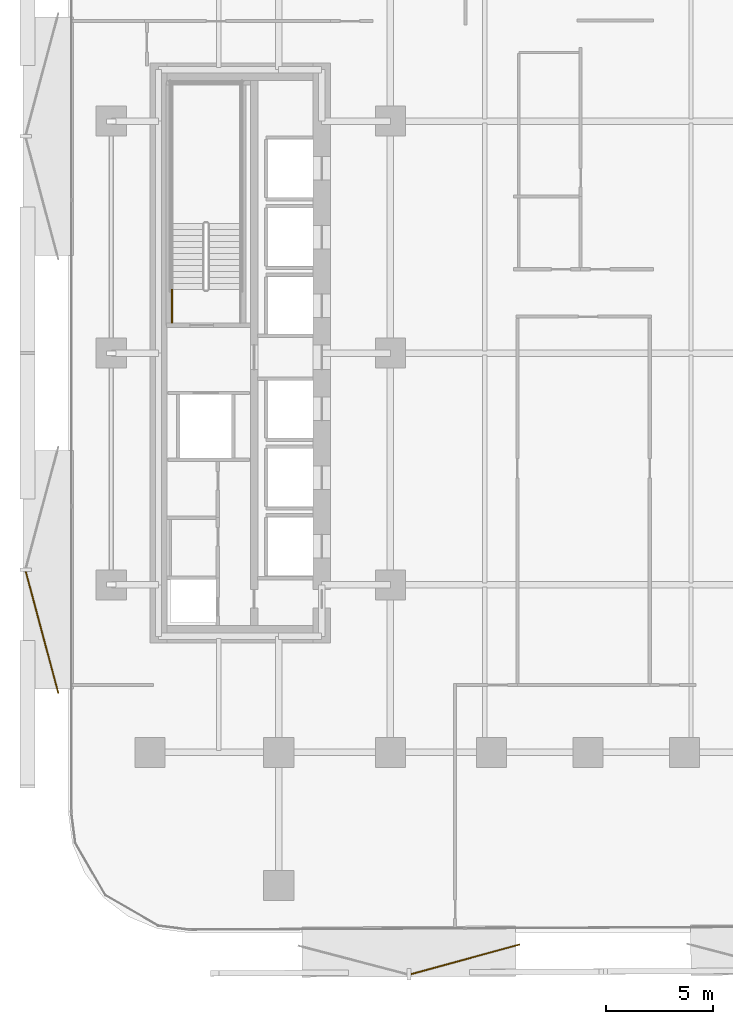
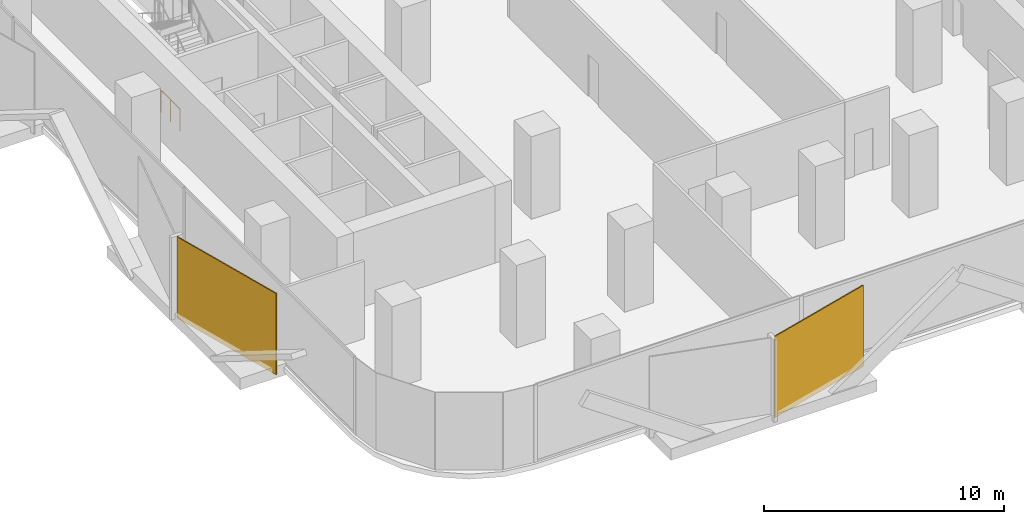
# One storey, part 11 of 15: 2 coverings, 1 railing.
"""IFC4 building model written with IfcOpenShell, lengths in metres."""

import ifcopenshell
import ifcopenshell.guid

model = None  # the IFC model being written
_history = None  # IfcOwnerHistory: only IFC2X3 demands one
_inside = {}  # id of a spatial element -> (the spatial element, [elements in it])
_under = {}  # id of a project, library or spatial element -> (it, [spatial elements below it])
_declared = {}  # id of a project -> (the project, [libraries it declares])
_typed = {}  # id of a type object -> (the type object, [elements of that type])
_made_of = {}  # id of a material, layer set ... -> (it, [elements and type objects made of it])


def new_model(schema):
    """Start an empty IFC model of exactly this schema.

    Asked for "IFC4X3", IfcOpenShell would pick the latest addendum, in which some entities
    have other attributes; the version numbers below select the first issue.
    IFC2X3 requires an IfcOwnerHistory on every rooted entity: one is made here for all.
    """
    global model, _history
    if schema == "IFC4X3":
        model = ifcopenshell.file(schema_version=(4, 3, 0, 0))
    else:
        model = ifcopenshell.file(schema=schema)
    _inside.clear()
    _under.clear()
    _declared.clear()
    _typed.clear()
    _made_of.clear()
    _history = None
    if model.schema == "IFC2X3":
        org = make("IfcOrganization", Name="unknown")
        user = make(
            "IfcPersonAndOrganization",
            ThePerson=make("IfcPerson", FamilyName="unknown"),
            TheOrganization=org,
        )
        app = make(
            "IfcApplication",
            ApplicationDeveloper=org,
            Version="unknown",
            ApplicationFullName="unknown",
            ApplicationIdentifier="unknown",
        )
        _history = make(
            "IfcOwnerHistory",
            OwningUser=user,
            OwningApplication=app,
            ChangeAction="ADDED",
            CreationDate=0,
        )
    return model


def make(cls, **values):
    """One entity of the class cls with the attributes given. An attribute that is None is left unset."""
    return model.create_entity(
        cls, **{name: value for name, value in values.items() if value is not None}
    )


def rooted(cls, **values):
    """An entity with a GlobalId (a new one), such as an element, a storey or a relation."""
    return make(cls, GlobalId=ifcopenshell.guid.new(), OwnerHistory=_history, **values)


def si_unit(unit_type, name, prefix=None):
    """IfcSIUnit, for example si_unit("LENGTHUNIT", "METRE", prefix="MILLI")."""
    return make("IfcSIUnit", UnitType=unit_type, Prefix=prefix, Name=name)


def assignment(units):
    """IfcUnitAssignment: the units of a project."""
    return None if units is None else make("IfcUnitAssignment", Units=units)


def point(xyz):
    """IfcCartesianPoint."""
    return None if xyz is None else make("IfcCartesianPoint", Coordinates=xyz)


def direction(xyz):
    """IfcDirection."""
    return None if xyz is None else make("IfcDirection", DirectionRatios=xyz)


def frame(location, z_axis=None, x_axis=None):
    """IfcAxis2Placement3D, a coordinate frame: its origin and axes. An axis left out is left unset."""
    return make(
        "IfcAxis2Placement3D",
        Location=point(location),
        Axis=direction(z_axis),
        RefDirection=direction(x_axis),
    )


def frame_2d(location, x_axis=None):
    """IfcAxis2Placement2D, a coordinate frame in the plane: its origin and x axis."""
    return make(
        "IfcAxis2Placement2D", Location=point(location), RefDirection=direction(x_axis)
    )


def origin():
    """The frame at (0, 0, 0) with its axes left unset."""
    return frame((0.0, 0.0, 0.0))


def origin_2d():
    """The frame at (0, 0) in the plane with its x axis left unset."""
    return frame_2d((0.0, 0.0))


def place(relative_to, where):
    """IfcLocalPlacement: puts the frame where relative to a parent placement (None: the world)."""
    return make(
        "IfcLocalPlacement", PlacementRelTo=relative_to, RelativePlacement=where
    )


def context(
    kind, dimensions, precision=None, world=None, true_north=None, identifier=None
):
    """IfcGeometricRepresentationContext, for example the 3D "Model" context."""
    return make(
        "IfcGeometricRepresentationContext",
        ContextIdentifier=identifier,
        ContextType=kind,
        CoordinateSpaceDimension=dimensions,
        Precision=precision,
        WorldCoordinateSystem=world,
        TrueNorth=true_north,
    )


def subcontext(parent, identifier, kind, view, scale=None):
    """IfcGeometricRepresentationSubContext, for example "Body" below "Model"."""
    return make(
        "IfcGeometricRepresentationSubContext",
        ContextIdentifier=identifier,
        ContextType=kind,
        ParentContext=parent,
        TargetScale=scale,
        TargetView=view,
    )


def project(units=None, contexts=None):
    """IfcProject with its units and contexts."""
    return rooted(
        "IfcProject",
        Name="project",
        RepresentationContexts=contexts,
        UnitsInContext=assignment(units),
    )


def spatial(cls, under=None, at=None, **own):
    """A site, building, storey or space (cls), placed at a placement, below another one or the project."""
    s = rooted(cls, ObjectPlacement=at, **own)
    if under is not None:
        _under.setdefault(under.id(), (under, []))[1].append(s)
    return s


def profile(cls, at=None, kind="AREA", **sizes):
    """A parametric profile (cls). Its sizes go by their IFC names, for example OverallWidth=200.0."""
    return make(cls, ProfileType=kind, Position=at, **sizes)


def rectangle(**sizes):
    """IfcRectangleProfileDef."""
    return profile("IfcRectangleProfileDef", **sizes)


def circle(**sizes):
    """IfcCircleProfileDef."""
    return profile("IfcCircleProfileDef", **sizes)


def extrude(swept, where, along, depth):
    """IfcExtrudedAreaSolid: the profile swept, set in the frame where, extruded along a direction by depth."""
    return make(
        "IfcExtrudedAreaSolid",
        SweptArea=swept,
        Position=where,
        ExtrudedDirection=direction(along),
        Depth=depth,
    )


def shape(context_of_items, identifier, shape_type, items):
    """IfcShapeRepresentation: the items that make up one representation, for example the "Body"."""
    return make(
        "IfcShapeRepresentation",
        ContextOfItems=context_of_items,
        RepresentationIdentifier=identifier,
        RepresentationType=shape_type,
        Items=items,
    )


def material(Name=None, Category=None):
    """IfcMaterial."""
    return make("IfcMaterial", Name=Name, Category=Category)


def layer(
    of_material, thickness, ventilated=None, Name=None, Category=None, Priority=None
):
    """IfcMaterialLayer: one layer of a wall or slab, of a material (None: an air gap)."""
    return make(
        "IfcMaterialLayer",
        Material=of_material,
        LayerThickness=thickness,
        IsVentilated=ventilated,
        Name=Name,
        Category=Category,
        Priority=Priority,
    )


def layer_set(layers, Name=None):
    """IfcMaterialLayerSet."""
    return make("IfcMaterialLayerSet", MaterialLayers=layers, LayerSetName=Name)


def made_of(thing, what):
    """Note that an element or type object is made of a material, layer set ...; save() writes the relation."""
    if what is not None:
        _made_of.setdefault(what.id(), (what, []))[1].append(thing)
    return thing


def type_object(cls, material=None, **own):
    """A type object (cls), such as IfcWallType, which elements share."""
    return made_of(rooted(cls, **own), material)


def element(
    cls,
    number,
    at=None,
    inside=None,
    cuts=None,
    type_object=None,
    material=None,
    context=None,
    identifier="Body",
    shape_type=None,
    held_by="IfcProductDefinitionShape",
    body=None,
    shapes=None,
    **own,
):
    """One element of the class cls, such as IfcWall. Its Tag is "e" and its number.

    at: its placement. inside: the storey or other place that contains it. cuts: it is an
    opening in that element (IfcRelVoidsElement). A single representation is given by context,
    identifier, shape_type and body (its items); several are given by shapes. held_by: the class
    of the entity that holds the representations. save() writes the other relations.
    """
    e = rooted(cls, Tag="e%d" % number, ObjectPlacement=at, **own)
    if body is not None:
        shapes = [shape(context, identifier, shape_type, body)]
    if shapes is not None:
        e.Representation = make(held_by, Representations=shapes)
    if inside is not None:
        _inside.setdefault(inside.id(), (inside, []))[1].append(e)
    if cuts is not None:
        rooted(
            "IfcRelVoidsElement", RelatingBuildingElement=cuts, RelatedOpeningElement=e
        )
    if type_object is not None:
        _typed.setdefault(type_object.id(), (type_object, []))[1].append(e)
    return made_of(e, material)


def aggregate(whole, parts):
    """IfcRelAggregates: a whole, such as a stair, and the parts it consists of."""
    return rooted("IfcRelAggregates", RelatingObject=whole, RelatedObjects=parts)


def save(model, path):
    """Write the relations noted so far, then the file.

    IfcRelAggregates (storeys below a building ...), IfcRelContainedInSpatialStructure (elements
    in a storey), IfcRelDefinesByType, IfcRelAssociatesMaterial and IfcRelDeclares: one each for
    every whole, place, type object, material and project.
    """
    for whole, parts in _under.values():
        aggregate(whole, parts)
    for where, things in _inside.values():
        rooted(
            "IfcRelContainedInSpatialStructure",
            RelatedElements=things,
            RelatingStructure=where,
        )
    for kind, things in _typed.values():
        rooted("IfcRelDefinesByType", RelatedObjects=things, RelatingType=kind)
    for what, things in _made_of.values():
        rooted("IfcRelAssociatesMaterial", RelatedObjects=things, RelatingMaterial=what)
    for by, libraries in _declared.values():
        rooted("IfcRelDeclares", RelatingContext=by, RelatedDefinitions=libraries)
    model.write(path)


model = new_model("IFC4")

# Units and contexts
model_context = context("Model", 3, precision=1e-05, world=origin(), true_north=direction((0.0, 1.0)))
body_context = subcontext(model_context, "Body", "Model", "MODEL_VIEW")
ifc_project = project(units=[si_unit("LENGTHUNIT", "METRE"), si_unit("AREAUNIT", "SQUARE_METRE"), si_unit("VOLUMEUNIT", "CUBIC_METRE"), si_unit("PLANEANGLEUNIT", "RADIAN"), si_unit("MASSUNIT", "GRAM", prefix="KILO")], contexts=[model_context])

# Site, building, storey
site_placement = place(None, origin())
site = spatial("IfcSite", under=ifc_project, at=site_placement, CompositionType="ELEMENT")
building_placement = place(site_placement, origin())
building = spatial("IfcBuilding", under=site, at=building_placement, Name="Khairoan Windgate Tower", CompositionType="ELEMENT")
storey_placement = place(building_placement, frame((0.0, 0.0, 47.0)))
storey = spatial("IfcBuildingStorey", under=building, at=storey_placement, Name="L11", CompositionType="ELEMENT", Elevation=47.0)

# Coverings
ifc_material_1 = material(Name="Anodised Bronze Aluminium 6063-T6", Category="aluminium")
ifc_layer = layer(ifc_material_1, 0.054931640625, Name="Anodised Bronze Aluminium 6063-T6")
ifc_layer_set = layer_set([ifc_layer], Name="Anodised Bronze Aluminium 6063-T6")
covering_type = type_object("IfcCoveringType", Name="Perforated Bronze-Ceramic Folded Solar Screen Cladding BSC-1", PredefinedType="CLADDING", material=ifc_layer_set)
covering_1_placement = place(storey_placement, frame((-5.70751953125, -28.238037109375, -0.10009765625), z_axis=(0.0, 0.0, 1.0), x_axis=(-0.964649468762, -0.263536339841, 0.0)))
element("IfcCovering", 1, at=covering_1_placement, inside=storey, type_object=covering_type, Name="L11 Folded Bronze Solar Screen Facet 42L", PredefinedType="CLADDING", context=body_context, shape_type="SweptSolid", body=[
    extrude(rectangle(XDim=5.25, YDim=0.054931640625, at=origin_2d()), origin(), (0.0, 0.0, 1.0), 4.139892578125),
])
covering_2_placement = place(storey_placement, frame((-25.42236328125, -13.01318359375, -0.10009765625), z_axis=(0.0, 0.0, 1.0), x_axis=(-0.258819045103, 0.965925826289, 0.0)))
element("IfcCovering", 2, at=covering_2_placement, inside=storey, type_object=covering_type, Name="L11 Folded Bronze Solar Screen Facet 43L", PredefinedType="CLADDING", context=body_context, shape_type="SweptSolid", body=[
    extrude(rectangle(XDim=5.85498046875, YDim=0.054931640625, at=origin_2d()), origin(), (0.0, 0.0, 1.0), 4.139892578125),
])

# Railing
ifc_material_2 = material(Name="Steel S355", Category="steel")
railing_type = type_object("IfcRailingType", Name="Stairwell Safety Guardrail SGR-1150", PredefinedType="GUARDRAIL", material=ifc_material_2)
railing_placement = place(storey_placement, frame((-19.3701171875, 1.39990234375, 0.0)))
element("IfcRailing", 3, at=railing_placement, inside=storey, type_object=railing_type, Name="L11 ST2 stair guard 9", PredefinedType="GUARDRAIL", context=body_context, shape_type="SweptSolid", body=[
    extrude(circle(Radius=0.02392578125, at=origin_2d()), frame((0.0, 0.0, 1.1259765625), z_axis=(0.0, 1.0, 0.0), x_axis=(-1.0, 0.0, 0.0)), (0.0, 0.0, 1.0), 1.56005859375),
    extrude(circle(Radius=0.02099609375, at=origin_2d()), origin(), (0.0, 0.0, 1.0), 1.101806640625),
    extrude(circle(Radius=0.02099609375, at=origin_2d()), frame((0.0, 0.780029296875, 0.0)), (0.0, 0.0, 1.0), 1.101806640625),
    extrude(circle(Radius=0.02099609375, at=origin_2d()), frame((0.0, 1.56005859375, 0.0)), (0.0, 0.0, 1.0), 1.101806640625),
])

save(model, "model.ifc")
